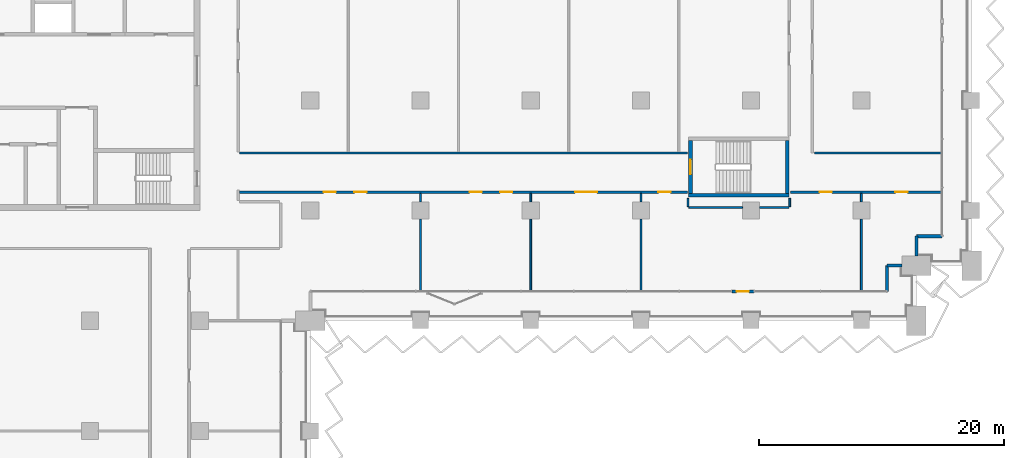
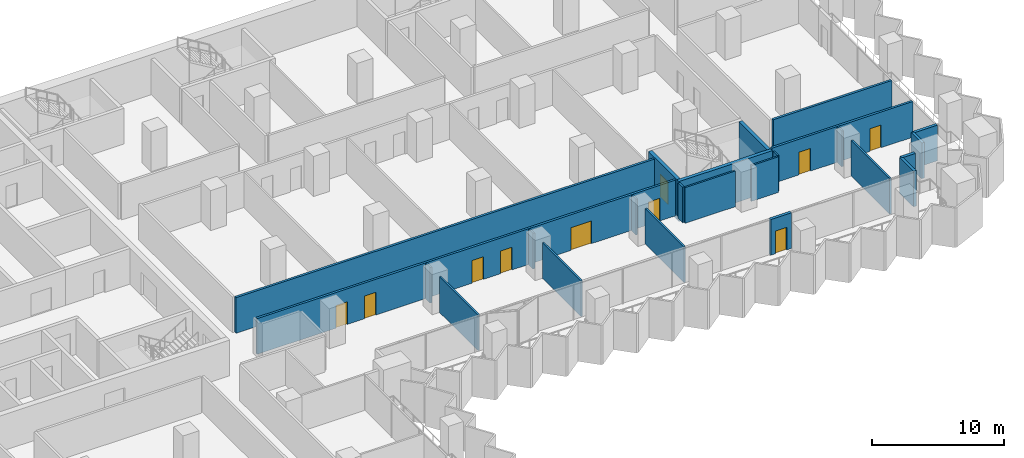
# One storey, part 13 of 28: 24 walls, 10 doors, 10 openings.
"""IFC4 building model written with IfcOpenShell, lengths in metres."""

from ifc_helpers import new_model, si_unit, direction, frame, frame_2d, origin, place, context, subcontext, project, spatial, rectangle, extrude, material, layer, layer_set, type_object, element, fill, save


model = new_model("IFC4")

# Units and contexts
model_context = context("Model", 3, precision=1e-05, world=origin(), true_north=direction((0.0, 1.0)))
body_context = subcontext(model_context, "Body", "Model", "MODEL_VIEW")
ifc_project = project(units=[si_unit("LENGTHUNIT", "METRE"), si_unit("AREAUNIT", "SQUARE_METRE"), si_unit("VOLUMEUNIT", "CUBIC_METRE"), si_unit("PLANEANGLEUNIT", "RADIAN"), si_unit("MASSUNIT", "GRAM", prefix="KILO")], contexts=[model_context])

# Site, building, storey
site_placement = place(None, origin())
site = spatial("IfcSite", under=ifc_project, at=site_placement, CompositionType="ELEMENT")
building_placement = place(site_placement, origin())
building = spatial("IfcBuilding", under=site, at=building_placement, Name="Hunhe Ridgeline Campus", CompositionType="ELEMENT")
storey_placement = place(building_placement, frame((0.0, 0.0, 35.800048828125)))
storey = spatial("IfcBuildingStorey", under=building, at=storey_placement, Name="L07", CompositionType="ELEMENT", Elevation=35.800048828125)

# Walls
ifc_material_1 = material(Name="Concrete C30", Category="concrete")
ifc_layer_1 = layer(ifc_material_1, 0.25)
ifc_layer_set_1 = layer_set([ifc_layer_1], Name="Corner return wall 250 Concrete C30")
wall_type_1 = type_object("IfcWallType", Name="Corner return wall 250 Concrete C30", PredefinedType="SOLIDWALL", material=ifc_layer_set_1)
wall_1_placement = place(storey_placement, frame((92.09912109375, 56.40087890625, 0.0), z_axis=(0.0, 0.0, 1.0), x_axis=(0.00011626555, 0.999999993241, 0.0)))
element("IfcWall", 1, at=wall_1_placement, inside=storey, type_object=wall_type_1, Name="Corner return wall 4", PredefinedType="SOLIDWALL", context=body_context, shape_type="SweptSolid", body=[
    extrude(rectangle(XDim=2.099853515625, YDim=0.25, at=frame_2d((1.0498046875, 0.0))), origin(), (0.0, 0.0, 1.0), 3.300048828125),
])
wall_2_placement = place(storey_placement, frame((92.099365234375, 58.500732421875, 0.0), z_axis=(0.0, 0.0, 1.0), x_axis=(1.0, 0.0, 0.0)))
element("IfcWall", 2, at=wall_2_placement, inside=storey, type_object=wall_type_1, Name="Corner return wall 5", PredefinedType="SOLIDWALL", context=body_context, shape_type="SweptSolid", body=[
    extrude(rectangle(XDim=1.20068359375, YDim=0.25, at=frame_2d((0.600341796875, 0.0))), origin(), (0.0, 0.0, 1.0), 3.300048828125),
])
wall_3_placement = place(storey_placement, frame((94.4990234375, 59.300048828125, 0.0), z_axis=(0.0, 0.0, 1.0), x_axis=(0.00015253203, 0.999999988367, 0.0)))
element("IfcWall", 3, at=wall_3_placement, inside=storey, type_object=wall_type_1, Name="Corner return wall 6", PredefinedType="SOLIDWALL", context=body_context, shape_type="SweptSolid", body=[
    extrude(rectangle(XDim=1.6005859375, YDim=0.25, at=frame_2d((0.80029296875, 0.0))), origin(), (0.0, 0.0, 1.0), 3.300048828125),
])
wall_4_placement = place(storey_placement, frame((94.499267578125, 60.900634765625, 0.0), z_axis=(0.0, 0.0, 1.0), x_axis=(0.999999993241, 0.00011626555, 0.0)))
element("IfcWall", 4, at=wall_4_placement, inside=storey, type_object=wall_type_1, Name="Corner return wall 7", PredefinedType="SOLIDWALL", context=body_context, shape_type="SweptSolid", body=[
    extrude(rectangle(XDim=2.099853515625, YDim=0.25, at=frame_2d((1.0498046875, 0.0))), origin(), (0.0, 0.0, 1.0), 3.300048828125),
])

# Wall, openings, doors
ifc_material_2 = material(Name="Gypsum board partition")
ifc_layer_2 = layer(ifc_material_2, 0.199951171875)
ifc_layer_set_2 = layer_set([ifc_layer_2], Name="Corridor partition 200 gypsum board on steel studs")
wall_type_2 = type_object("IfcWallType", Name="Corridor partition 200 gypsum board on steel studs", PredefinedType="PARTITIONING", material=ifc_layer_set_2)
wall_5_placement = place(storey_placement, frame((75.7958984375, 64.5, 0.0), z_axis=(0.0, 0.0, 1.0), x_axis=(-1.0, 0.0, 0.0)))
wall_5 = element("IfcWall", 5, at=wall_5_placement, inside=storey, type_object=wall_type_2, Name="F-L07-wall-034", PredefinedType="PARTITIONING", context=body_context, shape_type="SweptSolid", body=[
    extrude(rectangle(XDim=36.595947265625, YDim=0.199951171875, at=frame_2d((18.2978515625, 0.0))), origin(), (0.0, 0.0, 1.0), 3.300048828125),
])
opening_1_placement = place(wall_5_placement, frame((28.70166015625, 0.0, 0.0)))
opening_1 = element("IfcOpeningElement", 6, at=opening_1_placement, cuts=wall_5, Name="Opening RD1-023", PredefinedType="OPENING", context=body_context, shape_type="SweptSolid", body=[
    extrude(rectangle(XDim=1.0, YDim=2.10009765625, at=frame_2d((0.5, 1.050048828125))), frame((0.0, 0.10009765625, 0.0), z_axis=(0.0, -1.0, 0.0), x_axis=(1.0, 0.0, 0.0)), (0.0, 0.0, 1.0), 0.199951171875),
])
opening_2_placement = place(wall_5_placement, frame((26.20166015625, 0.0, 0.0)))
opening_2 = element("IfcOpeningElement", 7, at=opening_2_placement, cuts=wall_5, Name="Opening RD1-024", PredefinedType="OPENING", context=body_context, shape_type="SweptSolid", body=[
    extrude(rectangle(XDim=1.0, YDim=2.10009765625, at=frame_2d((0.5, 1.050048828125))), frame((0.0, 0.10009765625, 0.0), z_axis=(0.0, -1.0, 0.0), x_axis=(1.0, 0.0, 0.0)), (0.0, 0.0, 1.0), 0.199951171875),
])
opening_3_placement = place(wall_5_placement, frame((16.79541015625, 0.0, 0.0)))
opening_3 = element("IfcOpeningElement", 8, at=opening_3_placement, cuts=wall_5, Name="Opening RD1-025", PredefinedType="OPENING", context=body_context, shape_type="SweptSolid", body=[
    extrude(rectangle(XDim=1.0, YDim=2.10009765625, at=frame_2d((0.5, 1.050048828125))), frame((0.0, 0.10009765625, 0.0), z_axis=(0.0, -1.0, 0.0), x_axis=(1.0, 0.0, 0.0)), (0.0, 0.0, 1.0), 0.199951171875),
])
opening_4_placement = place(wall_5_placement, frame((14.29541015625, 0.0, 0.0)))
opening_4 = element("IfcOpeningElement", 9, at=opening_4_placement, cuts=wall_5, Name="Opening RD1-026", PredefinedType="OPENING", context=body_context, shape_type="SweptSolid", body=[
    extrude(rectangle(XDim=1.0, YDim=2.10009765625, at=frame_2d((0.5, 1.050048828125))), frame((0.0, 0.10009765625, 0.0), z_axis=(0.0, -1.0, 0.0), x_axis=(1.0, 0.0, 0.0)), (0.0, 0.0, 1.0), 0.199951171875),
])
opening_5_placement = place(wall_5_placement, frame((7.37158203125, 0.0, 0.0)))
opening_5 = element("IfcOpeningElement", 10, at=opening_5_placement, cuts=wall_5, Name="Opening RD2-027", PredefinedType="OPENING", context=body_context, shape_type="SweptSolid", body=[
    extrude(rectangle(XDim=1.800048828125, YDim=2.10009765625, at=frame_2d((0.89990234375, 1.050048828125))), frame((0.0, 0.10009765625, 0.0), z_axis=(0.0, -1.0, 0.0), x_axis=(1.0, 0.0, 0.0)), (0.0, 0.0, 1.0), 0.199951171875),
])
opening_6_placement = place(wall_5_placement, frame((1.3798828125, 0.0, 0.0)))
opening_6 = element("IfcOpeningElement", 11, at=opening_6_placement, cuts=wall_5, Name="Opening RD1-028", PredefinedType="OPENING", context=body_context, shape_type="SweptSolid", body=[
    extrude(rectangle(XDim=1.0, YDim=2.10009765625, at=frame_2d((0.5, 1.050048828125))), frame((0.0, 0.10009765625, 0.0), z_axis=(0.0, -1.0, 0.0), x_axis=(1.0, 0.0, 0.0)), (0.0, 0.0, 1.0), 0.199951171875),
])
ifc_material_3 = material(Name="Timber door leaf", Category="wood")
door_type_1 = type_object("IfcDoorType", Name="Double fire door 1800x2100 timber FD60", OperationType="DOUBLE_DOOR_SINGLE_SWING", PredefinedType="DOOR", material=ifc_material_3)
door_1_placement = place(opening_5_placement, origin())
door_1 = element("IfcDoor", 12, at=door_1_placement, inside=storey, type_object=door_type_1, Name="F-L07-door-027", OperationType="DOUBLE_DOOR_SINGLE_SWING", OverallHeight=2.10009765625, OverallWidth=1.800048828125, PredefinedType="DOOR", context=body_context, shape_type="SweptSolid", body=[
    extrude(rectangle(XDim=1.800048828125, YDim=2.10009765625, at=frame_2d((0.89990234375, 1.050048828125))), frame((0.0, 0.02490234375, 0.0), z_axis=(0.0, -1.0, 0.0), x_axis=(1.0, 0.0, 0.0)), (0.0, 0.0, 1.0), 0.050048828125),
])
fill(opening_5, door_1)
door_type_2 = type_object("IfcDoorType", Name="Single fire door 1000x2100 timber FD60", OperationType="NOTDEFINED", PredefinedType="DOOR", material=ifc_material_3)
door_2_placement = place(opening_1_placement, frame((1.0, 0.0, 0.0), z_axis=(0.0, 0.0, 1.0), x_axis=(-1.0, 0.0, 0.0)))
door_2 = element("IfcDoor", 13, at=door_2_placement, inside=storey, type_object=door_type_2, Name="F-L07-door-023", OperationType="SINGLE_SWING_RIGHT", OverallHeight=2.10009765625, OverallWidth=1.0, PredefinedType="DOOR", context=body_context, shape_type="SweptSolid", body=[
    extrude(rectangle(XDim=1.0, YDim=2.10009765625, at=frame_2d((0.5, 1.050048828125))), frame((0.0, 0.02490234375, 0.0), z_axis=(0.0, -1.0, 0.0), x_axis=(1.0, 0.0, 0.0)), (0.0, 0.0, 1.0), 0.050048828125),
])
fill(opening_1, door_2)
door_3_placement = place(opening_2_placement, frame((1.0, 0.0, 0.0), z_axis=(0.0, 0.0, 1.0), x_axis=(-1.0, 0.0, 0.0)))
door_3 = element("IfcDoor", 14, at=door_3_placement, inside=storey, type_object=door_type_2, Name="F-L07-door-024", OperationType="SINGLE_SWING_RIGHT", OverallHeight=2.10009765625, OverallWidth=1.0, PredefinedType="DOOR", context=body_context, shape_type="SweptSolid", body=[
    extrude(rectangle(XDim=1.0, YDim=2.10009765625, at=frame_2d((0.5, 1.050048828125))), frame((0.0, 0.02490234375, 0.0), z_axis=(0.0, -1.0, 0.0), x_axis=(1.0, 0.0, 0.0)), (0.0, 0.0, 1.0), 0.050048828125),
])
fill(opening_2, door_3)
door_4_placement = place(opening_3_placement, frame((1.0, 0.0, 0.0), z_axis=(0.0, 0.0, 1.0), x_axis=(-1.0, 0.0, 0.0)))
door_4 = element("IfcDoor", 15, at=door_4_placement, inside=storey, type_object=door_type_2, Name="F-L07-door-025", OperationType="SINGLE_SWING_RIGHT", OverallHeight=2.10009765625, OverallWidth=1.0, PredefinedType="DOOR", context=body_context, shape_type="SweptSolid", body=[
    extrude(rectangle(XDim=1.0, YDim=2.10009765625, at=frame_2d((0.5, 1.050048828125))), frame((0.0, 0.02490234375, 0.0), z_axis=(0.0, -1.0, 0.0), x_axis=(1.0, 0.0, 0.0)), (0.0, 0.0, 1.0), 0.050048828125),
])
fill(opening_3, door_4)
door_5_placement = place(opening_4_placement, frame((1.0, 0.0, 0.0), z_axis=(0.0, 0.0, 1.0), x_axis=(-1.0, 0.0, 0.0)))
door_5 = element("IfcDoor", 16, at=door_5_placement, inside=storey, type_object=door_type_2, Name="F-L07-door-026", OperationType="SINGLE_SWING_RIGHT", OverallHeight=2.10009765625, OverallWidth=1.0, PredefinedType="DOOR", context=body_context, shape_type="SweptSolid", body=[
    extrude(rectangle(XDim=1.0, YDim=2.10009765625, at=frame_2d((0.5, 1.050048828125))), frame((0.0, 0.02490234375, 0.0), z_axis=(0.0, -1.0, 0.0), x_axis=(1.0, 0.0, 0.0)), (0.0, 0.0, 1.0), 0.050048828125),
])
fill(opening_4, door_5)
door_6_placement = place(opening_6_placement, frame((1.0, 0.0, 0.0), z_axis=(0.0, 0.0, 1.0), x_axis=(-1.0, 0.0, 0.0)))
door_6 = element("IfcDoor", 17, at=door_6_placement, inside=storey, type_object=door_type_2, Name="F-L07-door-028", OperationType="SINGLE_SWING_RIGHT", OverallHeight=2.10009765625, OverallWidth=1.0, PredefinedType="DOOR", context=body_context, shape_type="SweptSolid", body=[
    extrude(rectangle(XDim=1.0, YDim=2.10009765625, at=frame_2d((0.5, 1.050048828125))), frame((0.0, 0.02490234375, 0.0), z_axis=(0.0, -1.0, 0.0), x_axis=(1.0, 0.0, 0.0)), (0.0, 0.0, 1.0), 0.050048828125),
])
fill(opening_6, door_6)

wall_6_placement = place(storey_placement, frame((96.544921875, 64.5, 0.0), z_axis=(0.0, 0.0, 1.0), x_axis=(-1.0, 0.0, 0.0)))
wall_6 = element("IfcWall", 18, at=wall_6_placement, inside=storey, type_object=wall_type_2, Name="F-L07-wall-035", PredefinedType="PARTITIONING", context=body_context, shape_type="SweptSolid", body=[
    extrude(rectangle(XDim=12.3408203125, YDim=0.199951171875, at=frame_2d((6.17041015625, 0.0))), origin(), (0.0, 0.0, 1.0), 3.300048828125),
])
opening_7_placement = place(wall_6_placement, frame((8.944580078125, 0.0, 0.0)))
opening_7 = element("IfcOpeningElement", 19, at=opening_7_placement, cuts=wall_6, Name="Opening RD1-029", PredefinedType="OPENING", context=body_context, shape_type="SweptSolid", body=[
    extrude(rectangle(XDim=1.0, YDim=2.10009765625, at=frame_2d((0.5, 1.050048828125))), frame((0.0, 0.10009765625, 0.0), z_axis=(0.0, -1.0, 0.0), x_axis=(1.0, 0.0, 0.0)), (0.0, 0.0, 1.0), 0.199951171875),
])
opening_8_placement = place(wall_6_placement, frame((2.774169921875, 0.0, 0.0)))
opening_8 = element("IfcOpeningElement", 20, at=opening_8_placement, cuts=wall_6, Name="Opening RD1-030", PredefinedType="OPENING", context=body_context, shape_type="SweptSolid", body=[
    extrude(rectangle(XDim=1.0, YDim=2.10009765625, at=frame_2d((0.5, 1.050048828125))), frame((0.0, 0.10009765625, 0.0), z_axis=(0.0, -1.0, 0.0), x_axis=(1.0, 0.0, 0.0)), (0.0, 0.0, 1.0), 0.199951171875),
])
door_7_placement = place(opening_7_placement, frame((1.0, 0.0, 0.0), z_axis=(0.0, 0.0, 1.0), x_axis=(-1.0, 0.0, 0.0)))
door_7 = element("IfcDoor", 21, at=door_7_placement, inside=storey, type_object=door_type_2, Name="F-L07-door-029", OperationType="SINGLE_SWING_RIGHT", OverallHeight=2.10009765625, OverallWidth=1.0, PredefinedType="DOOR", context=body_context, shape_type="SweptSolid", body=[
    extrude(rectangle(XDim=1.0, YDim=2.10009765625, at=frame_2d((0.5, 1.050048828125))), frame((0.0, 0.02490234375, 0.0), z_axis=(0.0, -1.0, 0.0), x_axis=(1.0, 0.0, 0.0)), (0.0, 0.0, 1.0), 0.050048828125),
])
fill(opening_7, door_7)
door_8_placement = place(opening_8_placement, origin())
door_8 = element("IfcDoor", 22, at=door_8_placement, inside=storey, type_object=door_type_2, Name="F-L07-door-030", OperationType="SINGLE_SWING_RIGHT", OverallHeight=2.10009765625, OverallWidth=1.0, PredefinedType="DOOR", context=body_context, shape_type="SweptSolid", body=[
    extrude(rectangle(XDim=1.0, YDim=2.10009765625, at=frame_2d((0.5, 1.050048828125))), frame((0.0, 0.02490234375, 0.0), z_axis=(0.0, -1.0, 0.0), x_axis=(1.0, 0.0, 0.0)), (0.0, 0.0, 1.0), 0.050048828125),
])
fill(opening_8, door_8)

# Walls
wall_7_placement = place(storey_placement, frame((39.199951171875, 67.699951171875, 0.0), z_axis=(0.0, 0.0, 1.0), x_axis=(1.0, 0.0, 0.0)))
element("IfcWall", 23, at=wall_7_placement, inside=storey, type_object=wall_type_2, Name="F-L07-wall-036", PredefinedType="PARTITIONING", context=body_context, shape_type="SweptSolid", body=[
    extrude(rectangle(XDim=36.595947265625, YDim=0.199951171875, at=frame_2d((18.2978515625, 0.0))), origin(), (0.0, 0.0, 1.0), 3.300048828125),
])
wall_8_placement = place(storey_placement, frame((86.178466796875, 67.699951171875, 0.0), z_axis=(0.0, 0.0, 1.0), x_axis=(1.0, 0.0, 0.0)))
element("IfcWall", 24, at=wall_8_placement, inside=storey, type_object=wall_type_2, Name="F-L07-wall-037", PredefinedType="PARTITIONING", context=body_context, shape_type="SweptSolid", body=[
    extrude(rectangle(XDim=10.366455078125, YDim=0.199951171875, at=frame_2d((5.18310546875, 0.0))), origin(), (0.0, 0.0, 1.0), 3.300048828125),
])

# Wall, opening, door
ifc_layer_3 = layer(ifc_material_1, 0.25)
ifc_layer_set_3 = layer_set([ifc_layer_3], Name="Loggia door pier wall 250 Concrete C30")
wall_type_3 = type_object("IfcWallType", Name="Loggia door pier wall 250 Concrete C30", PredefinedType="SOLIDWALL", material=ifc_layer_set_3)
wall_9_placement = place(storey_placement, frame((79.424072265625, 56.40087890625, 0.0), z_axis=(0.0, 0.0, 1.0), x_axis=(1.0, 0.0, 0.0)))
wall_9 = element("IfcWall", 25, at=wall_9_placement, inside=storey, type_object=wall_type_3, Name="Loggia door pier 4", PredefinedType="SOLIDWALL", context=body_context, shape_type="SweptSolid", body=[
    extrude(rectangle(XDim=1.800048828125, YDim=0.25, at=frame_2d((0.89990234375, 0.0))), origin(), (0.0, 0.0, 1.0), 3.300048828125),
])
opening_9_placement = place(wall_9_placement, frame((0.39990234375, 0.0, 0.0)))
opening_9 = element("IfcOpeningElement", 26, at=opening_9_placement, cuts=wall_9, Name="Opening BD107", PredefinedType="OPENING", context=body_context, shape_type="SweptSolid", body=[
    extrude(rectangle(XDim=1.0, YDim=2.10009765625, at=frame_2d((0.5, 1.050048828125))), frame((0.0, 0.125, 0.0), z_axis=(0.0, -1.0, 0.0), x_axis=(1.0, 0.0, 0.0)), (0.0, 0.0, 1.0), 0.25),
])
ifc_material_4 = material(Name="Aluminium 6063", Category="aluminium")
door_type_3 = type_object("IfcDoorType", Name="Loggia glazed door 1000x2100", OperationType="NOTDEFINED", PredefinedType="DOOR", material=ifc_material_4)
door_9_placement = place(opening_9_placement, frame((1.0, 0.0, 0.0), z_axis=(0.0, 0.0, 1.0), x_axis=(-1.0, 0.0, 0.0)))
door_9 = element("IfcDoor", 27, at=door_9_placement, inside=storey, type_object=door_type_3, Name="Loggia door BD107", OperationType="SINGLE_SWING_RIGHT", OverallHeight=2.10009765625, OverallWidth=1.0, PredefinedType="DOOR", context=body_context, shape_type="SweptSolid", body=[
    extrude(rectangle(XDim=1.0, YDim=2.10009765625, at=frame_2d((0.5, 1.050048828125))), frame((0.0, 0.02490234375, 0.0), z_axis=(0.0, -1.0, 0.0), x_axis=(1.0, 0.0, 0.0)), (0.0, 0.0, 1.0), 0.050048828125),
])
fill(opening_9, door_9)

# Walls
ifc_layer_4 = layer(ifc_material_2, 0.14990234375)
ifc_layer_set_4 = layer_set([ifc_layer_4], Name="Room partition 150 gypsum board on steel studs")
wall_type_4 = type_object("IfcWallType", Name="Room partition 150 gypsum board on steel studs", PredefinedType="PARTITIONING", material=ifc_layer_set_4)
wall_10_placement = place(storey_placement, frame((75.925048828125, 63.25, 0.0), z_axis=(0.0, 0.0, 1.0), x_axis=(1.0, 0.0, 0.0)))
element("IfcWall", 28, at=wall_10_placement, inside=storey, type_object=wall_type_4, Name="F-L07-wall-031", PredefinedType="PARTITIONING", context=body_context, shape_type="SweptSolid", body=[
    extrude(rectangle(XDim=4.375, YDim=0.14990234375, at=frame_2d((2.1875, 0.0))), origin(), (0.0, 0.0, 1.0), 3.300048828125),
])
wall_11_placement = place(storey_placement, frame((81.699951171875, 63.25, 0.0), z_axis=(0.0, 0.0, 1.0), x_axis=(1.0, 0.0, 0.0)))
element("IfcWall", 29, at=wall_11_placement, inside=storey, type_object=wall_type_4, Name="F-L07-wall-032", PredefinedType="PARTITIONING", context=body_context, shape_type="SweptSolid", body=[
    extrude(rectangle(XDim=2.375, YDim=0.14990234375, at=frame_2d((1.1875, 0.0))), origin(), (0.0, 0.0, 1.0), 3.300048828125),
])
wall_12_placement = place(storey_placement, frame((54.0, 62.300048828125, 0.0), z_axis=(0.0, 0.0, 1.0), x_axis=(0.0, -1.0, 0.0)))
element("IfcWall", 30, at=wall_12_placement, inside=storey, type_object=wall_type_4, Name="F-L07-wall-061", PredefinedType="PARTITIONING", context=body_context, shape_type="SweptSolid", body=[
    extrude(rectangle(XDim=5.84521484375, YDim=0.14990234375, at=frame_2d((2.922607421875, 0.0))), origin(), (0.0, 0.0, 1.0), 3.300048828125),
])
wall_13_placement = place(storey_placement, frame((54.0, 64.39990234375, 0.0), z_axis=(0.0, 0.0, 1.0), x_axis=(0.0, -1.0, 0.0)))
element("IfcWall", 31, at=wall_13_placement, inside=storey, type_object=wall_type_4, Name="F-L07-wall-062", PredefinedType="PARTITIONING", context=body_context, shape_type="SweptSolid", body=[
    extrude(rectangle(XDim=0.699951171875, YDim=0.14990234375, at=frame_2d((0.35009765625, 0.0))), origin(), (0.0, 0.0, 1.0), 3.300048828125),
])
wall_14_placement = place(storey_placement, frame((63.0, 62.300048828125, 0.0), z_axis=(0.0, 0.0, 1.0), x_axis=(0.0, -1.0, 0.0)))
element("IfcWall", 32, at=wall_14_placement, inside=storey, type_object=wall_type_4, Name="F-L07-wall-065", PredefinedType="PARTITIONING", context=body_context, shape_type="SweptSolid", body=[
    extrude(rectangle(XDim=5.84521484375, YDim=0.14990234375, at=frame_2d((2.922607421875, 0.0))), origin(), (0.0, 0.0, 1.0), 3.300048828125),
])
wall_15_placement = place(storey_placement, frame((63.0, 64.39990234375, 0.0), z_axis=(0.0, 0.0, 1.0), x_axis=(0.0, -1.0, 0.0)))
element("IfcWall", 33, at=wall_15_placement, inside=storey, type_object=wall_type_4, Name="F-L07-wall-066", PredefinedType="PARTITIONING", context=body_context, shape_type="SweptSolid", body=[
    extrude(rectangle(XDim=0.699951171875, YDim=0.14990234375, at=frame_2d((0.35009765625, 0.0))), origin(), (0.0, 0.0, 1.0), 3.300048828125),
])
wall_16_placement = place(storey_placement, frame((72.0, 62.300048828125, 0.0), z_axis=(0.0, 0.0, 1.0), x_axis=(0.0, -1.0, 0.0)))
element("IfcWall", 34, at=wall_16_placement, inside=storey, type_object=wall_type_4, Name="F-L07-wall-070", PredefinedType="PARTITIONING", context=body_context, shape_type="SweptSolid", body=[
    extrude(rectangle(XDim=5.84521484375, YDim=0.14990234375, at=frame_2d((2.922607421875, 0.0))), origin(), (0.0, 0.0, 1.0), 3.300048828125),
])
wall_17_placement = place(storey_placement, frame((72.0, 64.39990234375, 0.0), z_axis=(0.0, 0.0, 1.0), x_axis=(0.0, -1.0, 0.0)))
element("IfcWall", 35, at=wall_17_placement, inside=storey, type_object=wall_type_4, Name="F-L07-wall-071", PredefinedType="PARTITIONING", context=body_context, shape_type="SweptSolid", body=[
    extrude(rectangle(XDim=0.699951171875, YDim=0.14990234375, at=frame_2d((0.35009765625, 0.0))), origin(), (0.0, 0.0, 1.0), 3.300048828125),
])
for number, where, z_axis, x_axis, name in (
    (36, (75.85009765625, 63.99609375, 0.0), (0.0, 0.0, 1.0), (0.0, -1.0, 0.0), "F-L07-wall-074"),
    (37, (84.14990234375, 63.99609375, 0.0), (0.0, 0.0, 1.0), (0.0, -1.0, 0.0), "F-L07-wall-076"),
):
    element("IfcWall", number, at=place(storey_placement, frame(where, z_axis=z_axis, x_axis=x_axis)), inside=storey, type_object=wall_type_4, Name=name, PredefinedType="PARTITIONING", context=body_context, shape_type="SweptSolid", body=[
        extrude(rectangle(XDim=0.671142578125, YDim=0.14990234375, at=frame_2d((0.33544921875, 0.0))), origin(), (0.0, 0.0, 1.0), 3.300048828125),
    ])
wall_18_placement = place(storey_placement, frame((90.0, 62.300048828125, 0.0), z_axis=(0.0, 0.0, 1.0), x_axis=(0.0, -1.0, 0.0)))
element("IfcWall", 38, at=wall_18_placement, inside=storey, type_object=wall_type_4, Name="F-L07-wall-080", PredefinedType="PARTITIONING", context=body_context, shape_type="SweptSolid", body=[
    extrude(rectangle(XDim=5.844970703125, YDim=0.14990234375, at=frame_2d((2.92236328125, 0.0))), origin(), (0.0, 0.0, 1.0), 3.300048828125),
])
wall_19_placement = place(storey_placement, frame((90.0, 64.39990234375, 0.0), z_axis=(0.0, 0.0, 1.0), x_axis=(0.0, -1.0, 0.0)))
element("IfcWall", 39, at=wall_19_placement, inside=storey, type_object=wall_type_4, Name="F-L07-wall-081", PredefinedType="PARTITIONING", context=body_context, shape_type="SweptSolid", body=[
    extrude(rectangle(XDim=0.699951171875, YDim=0.14990234375, at=frame_2d((0.35009765625, 0.0))), origin(), (0.0, 0.0, 1.0), 3.300048828125),
])
ifc_material_5 = material(Name="Concrete C80", Category="concrete")
ifc_layer_5 = layer(ifc_material_5, 0.300048828125)
ifc_layer_set_5 = layer_set([ifc_layer_5], Name="Stair wall 300 reinforced concrete C80")
wall_type_5 = type_object("IfcWallType", Name="Stair wall 300 reinforced concrete C80", PredefinedType="SOLIDWALL", material=ifc_layer_set_5)
wall_20_placement = place(storey_placement, frame((75.89990234375, 64.25, -0.400146484375), z_axis=(0.0, 0.0, 1.0), x_axis=(1.0, 0.0, 0.0)))
element("IfcWall", 40, at=wall_20_placement, inside=storey, type_object=wall_type_5, Name="L07 core wall 8", PredefinedType="SOLIDWALL", context=body_context, shape_type="SweptSolid", body=[
    extrude(rectangle(XDim=8.2001953125, YDim=0.300048828125, at=frame_2d((4.10009765625, 0.0))), origin(), (0.0, 0.0, 1.0), 3.7001953125),
])

# Wall, opening, door
wall_21_placement = place(storey_placement, frame((76.050048828125, 64.39990234375, -0.400146484375), z_axis=(0.0, 0.0, 1.0), x_axis=(0.0, 1.0, 0.0)))
wall_21 = element("IfcWall", 41, at=wall_21_placement, inside=storey, type_object=wall_type_5, Name="L07 core wall 71", PredefinedType="SOLIDWALL", context=body_context, shape_type="SweptSolid", body=[
    extrude(rectangle(XDim=4.300048828125, YDim=0.300048828125, at=frame_2d((2.14990234375, 0.0))), origin(), (0.0, 0.0, 1.0), 3.7001953125),
])
opening_10_placement = place(wall_21_placement, frame((1.550048828125, 0.0, 0.39990234375)))
opening_10 = element("IfcOpeningElement", 42, at=opening_10_placement, cuts=wall_21, Name="Opening CD24", PredefinedType="OPENING", context=body_context, shape_type="SweptSolid", body=[
    extrude(rectangle(XDim=1.199951171875, YDim=2.10009765625, at=frame_2d((0.60009765625, 1.050048828125))), frame((0.0, 0.14990234375, 0.0), z_axis=(0.0, -1.0, 0.0), x_axis=(1.0, 0.0, 0.0)), (0.0, 0.0, 1.0), 0.300048828125),
])
ifc_material_6 = material(Name="Hollow metal fire door leaf")
door_type_4 = type_object("IfcDoorType", Name="Stair door 1200x2100 FD60", OperationType="SINGLE_SWING_LEFT", PredefinedType="DOOR", material=ifc_material_6)
door_10_placement = place(opening_10_placement, origin())
door_10 = element("IfcDoor", 43, at=door_10_placement, inside=storey, type_object=door_type_4, Name="L07 door E5", OperationType="SINGLE_SWING_RIGHT", OverallHeight=2.10009765625, OverallWidth=1.199951171875, PredefinedType="DOOR", context=body_context, shape_type="SweptSolid", body=[
    extrude(rectangle(XDim=1.199951171875, YDim=2.10009765625, at=frame_2d((0.60009765625, 1.050048828125))), frame((0.0, 0.02490234375, 0.0), z_axis=(0.0, -1.0, 0.0), x_axis=(1.0, 0.0, 0.0)), (0.0, 0.0, 1.0), 0.050048828125),
])
fill(opening_10, door_10)

# Wall
wall_22_placement = place(storey_placement, frame((83.949951171875, 64.39990234375, -0.400146484375), z_axis=(0.0, 0.0, 1.0), x_axis=(0.0, 1.0, 0.0)))
element("IfcWall", 44, at=wall_22_placement, inside=storey, type_object=wall_type_5, Name="L07 core wall 72", PredefinedType="SOLIDWALL", context=body_context, shape_type="SweptSolid", body=[
    extrude(rectangle(XDim=4.300048828125, YDim=0.300048828125, at=frame_2d((2.14990234375, 0.0))), origin(), (0.0, 0.0, 1.0), 3.7001953125),
])

save(model, "model.ifc")
